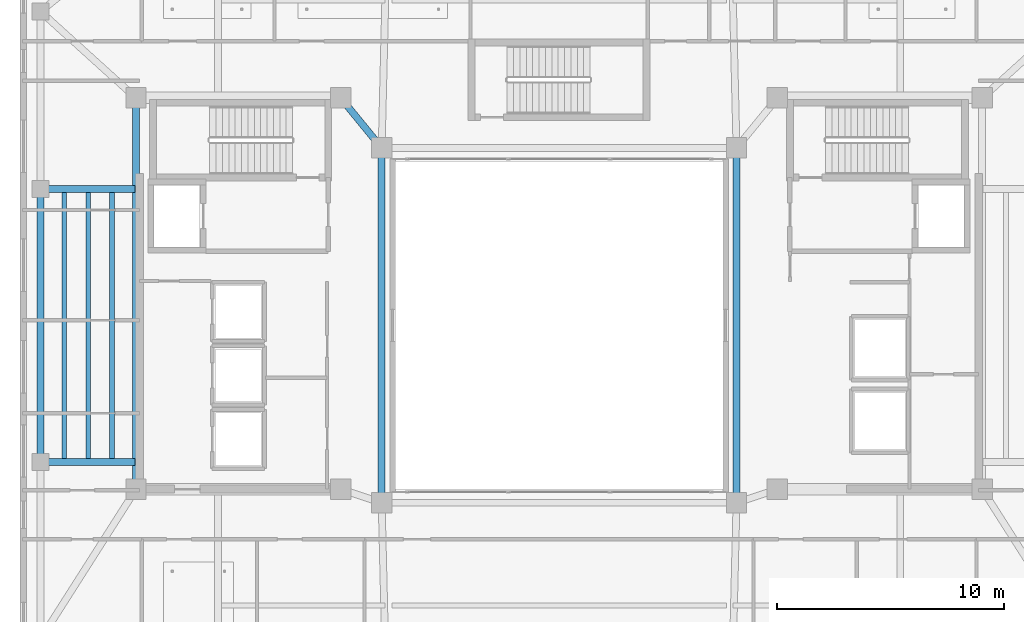
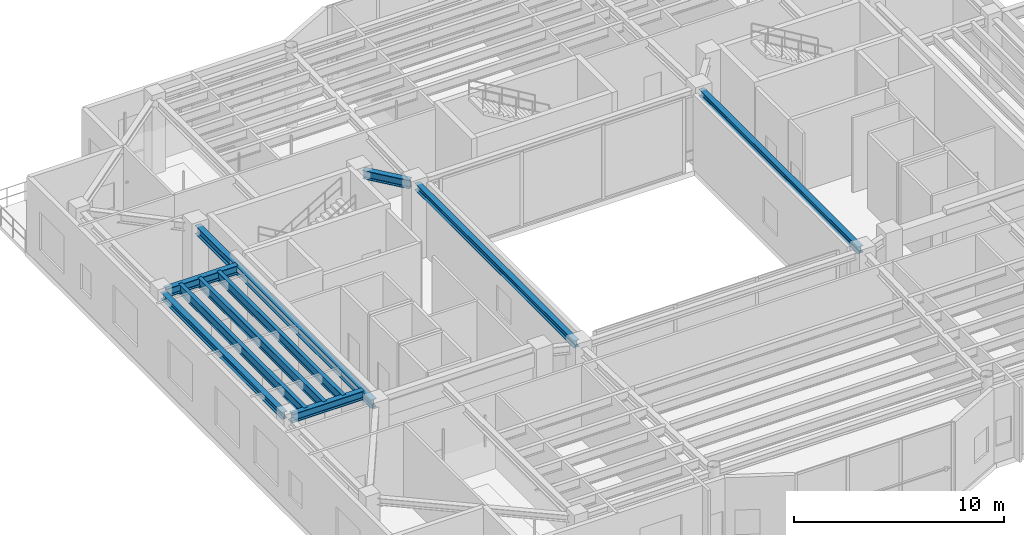
# One storey, part 5 of 23: 10 beams.
"""IFC4 building model written with IfcOpenShell, lengths in metres."""

from ifc_helpers import new_model, si_unit, direction, frame, origin, origin_2d, place, context, subcontext, project, spatial, i_section, extrude, material, material_profile, profile_set, type_object, element, save


model = new_model("IFC4")

# Units and contexts
model_context = context("Model", 3, precision=1e-05, world=origin(), true_north=direction((0.0, 1.0)))
body_context = subcontext(model_context, "Body", "Model", "MODEL_VIEW")
ifc_project = project(units=[si_unit("LENGTHUNIT", "METRE"), si_unit("AREAUNIT", "SQUARE_METRE"), si_unit("VOLUMEUNIT", "CUBIC_METRE"), si_unit("PLANEANGLEUNIT", "RADIAN"), si_unit("MASSUNIT", "GRAM", prefix="KILO")], contexts=[model_context])

# Site, building, storey
site_placement = place(None, origin())
site = spatial("IfcSite", under=ifc_project, at=site_placement, CompositionType="ELEMENT")
building_placement = place(site_placement, origin())
building = spatial("IfcBuilding", under=site, at=building_placement, Name="Tarnavaz Court Tower", CompositionType="ELEMENT")
storey_placement = place(building_placement, frame((0.0, 0.0, 227.10009765625)))
storey = spatial("IfcBuildingStorey", under=building, at=storey_placement, Name="L62", CompositionType="ELEMENT", Elevation=227.10009765625)

# Beams
ifc_material = material(Name="Steel S355", Category="steel")
ifc_material_profile_1 = material_profile(ifc_material, i_section(OverallWidth=0.300048828125, OverallDepth=0.5, WebThickness=0.014404296875, FlangeThickness=0.028076171875, FilletRadius=0.027099609375, at=origin_2d()), Name="HEB 500")
ifc_profile_set_1 = profile_set([ifc_material_profile_1], Name="Steel S355")
beam_type_1 = type_object("IfcBeamType", Name="BM-G-HEB500", PredefinedType="USERDEFINED", material=ifc_profile_set_1)
beam_1_placement = place(storey_placement, frame((-9.460693359375, 9.82958984375, 4.099853515625), z_axis=(0.633282058357, -0.773921077735, 0.0), x_axis=(0.773921077735, 0.633282058357, 0.0)))
element("IfcBeam", 1, at=beam_1_placement, inside=storey, type_object=beam_type_1, Name="L62 Beam IN-CW-NI-IW-NW", ObjectType="GIRDER", PredefinedType="USERDEFINED", context=body_context, shape_type="SweptSolid", body=[
    extrude(i_section(OverallWidth=0.300048828125, OverallDepth=0.5, WebThickness=0.014404296875, FlangeThickness=0.028076171875, FilletRadius=0.027099609375, at=origin_2d()), origin(), (0.0, 0.0, 1.0), 2.402587890625),
])
beam_2_placement = place(storey_placement, frame((-18.60009765625, -6.97998046875, 4.099853515625), z_axis=(0.0, 1.0, 0.0), x_axis=(-1.0, 0.0, 0.0)))
element("IfcBeam", 2, at=beam_2_placement, inside=storey, type_object=beam_type_1, Name="L62 Beam IN-CW-SO-CW-NO", ObjectType="GIRDER", PredefinedType="USERDEFINED", context=body_context, shape_type="SweptSolid", body=[
    extrude(i_section(OverallWidth=0.300048828125, OverallDepth=0.5, WebThickness=0.014404296875, FlangeThickness=0.028076171875, FilletRadius=0.027099609375, at=origin_2d()), origin(), (0.0, 0.0, 1.0), 16.760009765625),
])
for number, where, z_axis, x_axis, name in (
    (3, (-18.639892578125, -6.0, 4.099853515625), (-1.0, 0.0, 0.0), (0.0, -1.0, 0.0), "L62 Beam RG-13"),
    (4, (-18.639892578125, 6.0, 4.099853515625), (-1.0, 0.0, 0.0), (0.0, -1.0, 0.0), "L62 Beam RG-14"),
):
    element("IfcBeam", number, at=place(storey_placement, frame(where, z_axis=z_axis, x_axis=x_axis)), inside=storey, type_object=beam_type_1, Name=name, ObjectType="GIRDER", PredefinedType="USERDEFINED", context=body_context, shape_type="SweptSolid", body=[
        extrude(i_section(OverallWidth=0.300048828125, OverallDepth=0.5, WebThickness=0.014404296875, FlangeThickness=0.028076171875, FilletRadius=0.027099609375, at=origin_2d()), origin(), (0.0, 0.0, 1.0), 3.940185546875),
    ])
ifc_material_profile_2 = material_profile(ifc_material, i_section(OverallWidth=0.2099609375, OverallDepth=0.550048828125, WebThickness=0.010986328125, FlangeThickness=0.01708984375, FilletRadius=0.02392578125, at=origin_2d()), Name="IPE 550")
ifc_profile_set_2 = profile_set([ifc_material_profile_2], Name="Steel S355")
beam_type_2 = type_object("IfcBeamType", Name="BM-J-IPE550", PredefinedType="JOIST", material=ifc_profile_set_2)
for number, where, z_axis, x_axis, name in (
    (5, (-19.64990234375, -5.9599609375, 4.074951171875), (0.0, 1.0, 0.0), (-1.0, 0.0, 0.0), "L62 Beam JW1"),
    (6, (-20.699951171875, -5.9599609375, 4.074951171875), (0.0, 1.0, 0.0), (-1.0, 0.0, 0.0), "L62 Beam JW2"),
    (7, (-21.75, -5.9599609375, 4.074951171875), (0.0, 1.0, 0.0), (-1.0, 0.0, 0.0), "L62 Beam JW3"),
):
    element("IfcBeam", number, at=place(storey_placement, frame(where, z_axis=z_axis, x_axis=x_axis)), inside=storey, type_object=beam_type_2, Name=name, PredefinedType="JOIST", context=body_context, shape_type="SweptSolid", body=[
        extrude(i_section(OverallWidth=0.2099609375, OverallDepth=0.550048828125, WebThickness=0.010986328125, FlangeThickness=0.01708984375, FilletRadius=0.02392578125, at=origin_2d()), origin(), (0.0, 0.0, 1.0), 11.919921875),
    ])
ifc_material_profile_3 = material_profile(ifc_material, i_section(OverallWidth=0.300048828125, OverallDepth=0.389892578125, WebThickness=0.010986328125, FlangeThickness=0.01904296875, FilletRadius=0.027099609375, at=origin_2d()), Name="HEA 400")
ifc_profile_set_3 = profile_set([ifc_material_profile_3], Name="Steel S355")
beam_type_3 = type_object("IfcBeamType", Name="BM-SP-HEA400", PredefinedType="BEAM", material=ifc_profile_set_3)
for number, where, z_axis, x_axis, name in (
    (8, (-7.800048828125, -7.580078125, 4.15478515625), (0.0, 1.0, 0.0), (-1.0, 0.0, 0.0), "L62 Beam IN-IW-SW-IW-NW"),
    (9, (7.800048828125, -7.580078125, 4.15478515625), (0.0, 1.0, 0.0), (-1.0, 0.0, 0.0), "L62 Beam IN-IW-SE-IW-NE"),
):
    element("IfcBeam", number, at=place(storey_placement, frame(where, z_axis=z_axis, x_axis=x_axis)), inside=storey, type_object=beam_type_3, Name=name, PredefinedType="BEAM", context=body_context, shape_type="SweptSolid", body=[
        extrude(i_section(OverallWidth=0.300048828125, OverallDepth=0.389892578125, WebThickness=0.010986328125, FlangeThickness=0.01904296875, FilletRadius=0.027099609375, at=origin_2d()), origin(), (0.0, 0.0, 1.0), 15.16015625),
    ])
beam_3_placement = place(storey_placement, frame((-22.800048828125, -5.780029296875, 4.15478515625), z_axis=(0.0, 1.0, 0.0), x_axis=(-1.0, 0.0, 0.0)))
element("IfcBeam", 10, at=beam_3_placement, inside=storey, type_object=beam_type_3, Name="L62 Beam PR-PW-2-PW-3", PredefinedType="BEAM", context=body_context, shape_type="SweptSolid", body=[
    extrude(i_section(OverallWidth=0.300048828125, OverallDepth=0.389892578125, WebThickness=0.010986328125, FlangeThickness=0.01904296875, FilletRadius=0.027099609375, at=origin_2d()), origin(), (0.0, 0.0, 1.0), 11.56005859375),
])

save(model, "model.ifc")
